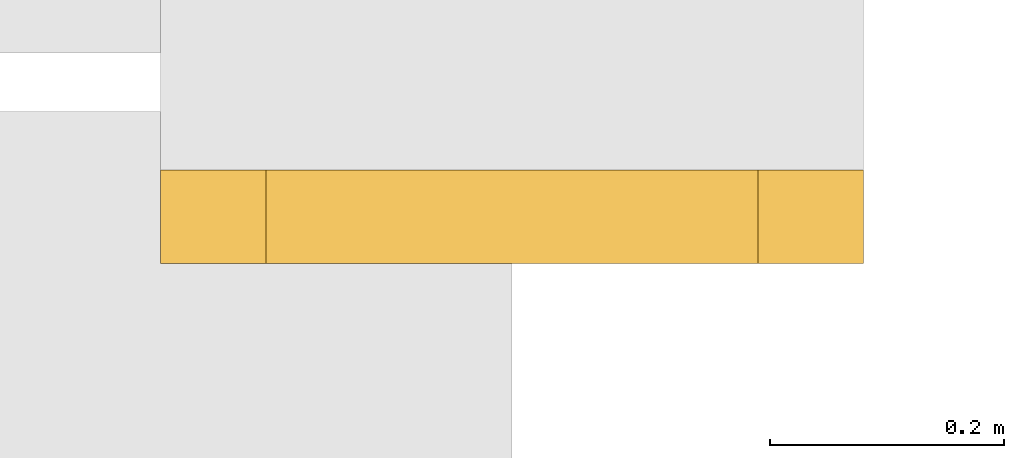
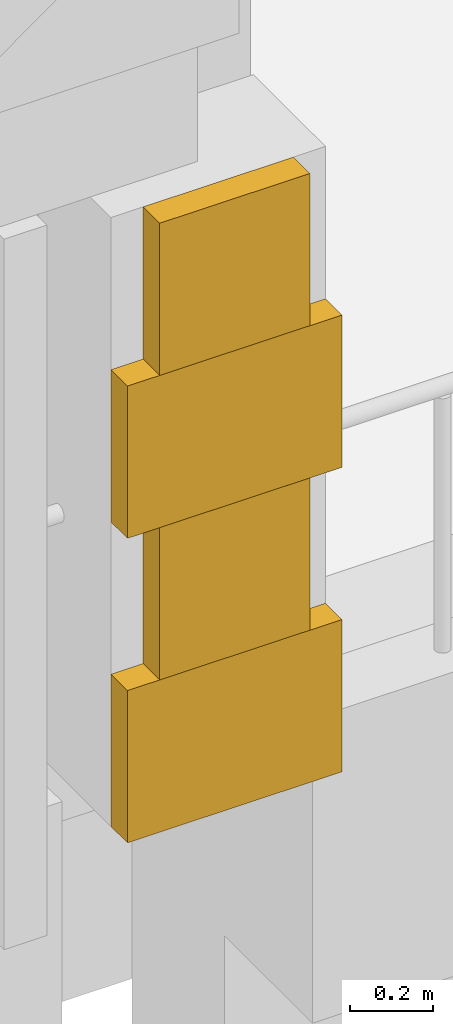
# One storey, part 24 of 25: 4 coverings.
"""IFC4 building model written with IfcOpenShell, lengths in metres."""

from ifc_helpers import new_model, si_unit, direction, frame, origin, place, context, subcontext, project, spatial, polyline, outline, extrude, material, layer, layer_set, type_object, element, save


model = new_model("IFC4")

# Units and contexts
model_context = context("Model", 3, precision=1e-05, world=origin(), true_north=direction((0.0, 1.0)))
body_context = subcontext(model_context, "Body", "Model", "MODEL_VIEW")
ifc_project = project(units=[si_unit("LENGTHUNIT", "METRE"), si_unit("AREAUNIT", "SQUARE_METRE"), si_unit("VOLUMEUNIT", "CUBIC_METRE"), si_unit("PLANEANGLEUNIT", "RADIAN"), si_unit("MASSUNIT", "GRAM", prefix="KILO")], contexts=[model_context])

# Site, building, storey
site_placement = place(None, origin())
site = spatial("IfcSite", under=ifc_project, at=site_placement, CompositionType="ELEMENT")
building_placement = place(site_placement, origin())
building = spatial("IfcBuilding", under=site, at=building_placement, Name="Cour d'Honneur Mobility Palace", CompositionType="ELEMENT")
storey_placement = place(building_placement, frame((0.0, 0.0, 30.39990234375)))
storey = spatial("IfcBuildingStorey", under=building, at=storey_placement, Name="L08", CompositionType="ELEMENT", Elevation=30.39990234375)

# Coverings
ifc_material = material(Name="Cast limestone", Category="masonry")
ifc_layer = layer(ifc_material, 0.080078125)
ifc_layer_set = layer_set([ifc_layer], Name="Cast limestone")
covering_type = type_object("IfcCoveringType", Name="Quoin block", PredefinedType="CLADDING", material=ifc_layer_set)
covering_1_placement = place(storey_placement, frame((0.0, 0.0, 0.300048828125)))
element("IfcCovering", 1, at=covering_1_placement, inside=storey, type_object=covering_type, Name="Quoin block QN-57", PredefinedType="CLADDING", context=body_context, shape_type="SweptSolid", body=[
    extrude(outline(polyline([(8.39990234375, -0.800048828125), (9.0, -0.800048828125), (9.0, -0.8798828125), (8.39990234375, -0.8798828125), (8.39990234375, -0.800048828125)])), origin(), (0.0, 0.0, 1.0), 0.449951171875),
])
covering_2_placement = place(storey_placement, frame((0.0, 0.0, 0.75)))
element("IfcCovering", 2, at=covering_2_placement, inside=storey, type_object=covering_type, Name="Quoin block QN-58", PredefinedType="CLADDING", context=body_context, shape_type="SweptSolid", body=[
    extrude(outline(polyline([(8.489990234375, -0.800048828125), (8.909912109375, -0.800048828125), (8.909912109375, -0.8798828125), (8.489990234375, -0.8798828125), (8.489990234375, -0.800048828125)])), origin(), (0.0, 0.0, 1.0), 0.4501953125),
])
covering_3_placement = place(storey_placement, frame((0.0, 0.0, 1.2001953125)))
element("IfcCovering", 3, at=covering_3_placement, inside=storey, type_object=covering_type, Name="Quoin block QN-59", PredefinedType="CLADDING", context=body_context, shape_type="SweptSolid", body=[
    extrude(outline(polyline([(8.39990234375, -0.800048828125), (9.0, -0.800048828125), (9.0, -0.8798828125), (8.39990234375, -0.8798828125), (8.39990234375, -0.800048828125)])), origin(), (0.0, 0.0, 1.0), 0.449951171875),
])
covering_4_placement = place(storey_placement, frame((0.0, 0.0, 1.650146484375)))
element("IfcCovering", 4, at=covering_4_placement, inside=storey, type_object=covering_type, Name="Quoin block QN-60", PredefinedType="CLADDING", context=body_context, shape_type="SweptSolid", body=[
    extrude(outline(polyline([(8.489990234375, -0.800048828125), (8.909912109375, -0.800048828125), (8.909912109375, -0.8798828125), (8.489990234375, -0.8798828125), (8.489990234375, -0.800048828125)])), origin(), (0.0, 0.0, 1.0), 0.449951171875),
])

save(model, "model.ifc")
